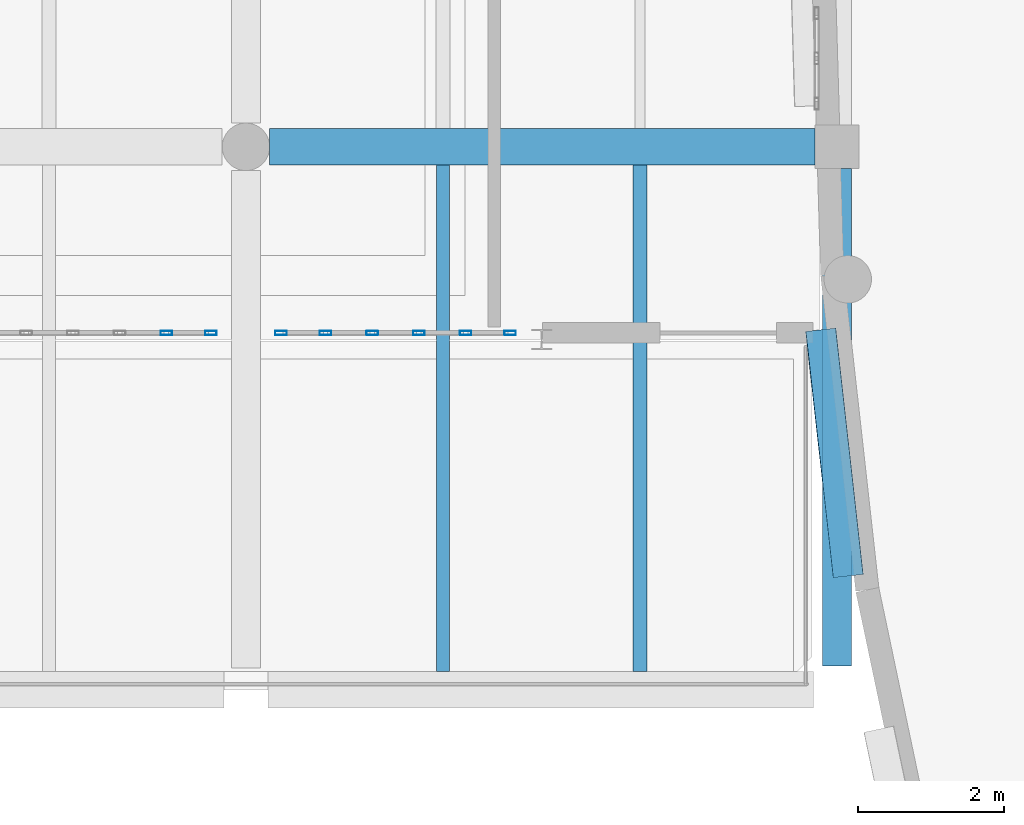
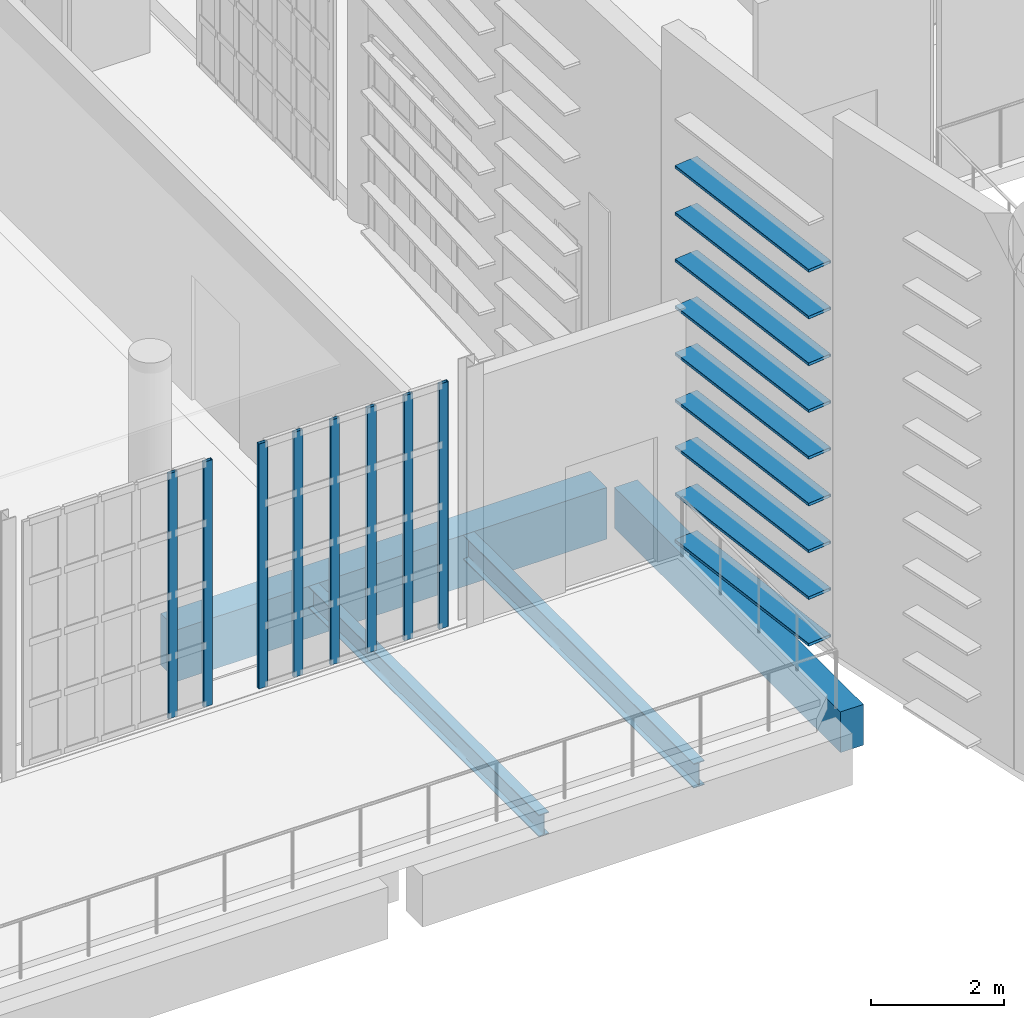
# One storey, part 31 of 104: 17 members, 4 beams, 2 elements without a shape of their own.
"""IFC4 building model written with IfcOpenShell, lengths in metres."""

import ifcopenshell
import ifcopenshell.guid

model = None  # the IFC model being written
_history = None  # IfcOwnerHistory: only IFC2X3 demands one
_inside = {}  # id of a spatial element -> (the spatial element, [elements in it])
_under = {}  # id of a project, library or spatial element -> (it, [spatial elements below it])
_declared = {}  # id of a project -> (the project, [libraries it declares])
_typed = {}  # id of a type object -> (the type object, [elements of that type])
_made_of = {}  # id of a material, layer set ... -> (it, [elements and type objects made of it])


def new_model(schema):
    """Start an empty IFC model of exactly this schema.

    Asked for "IFC4X3", IfcOpenShell would pick the latest addendum, in which some entities
    have other attributes; the version numbers below select the first issue.
    IFC2X3 requires an IfcOwnerHistory on every rooted entity: one is made here for all.
    """
    global model, _history
    if schema == "IFC4X3":
        model = ifcopenshell.file(schema_version=(4, 3, 0, 0))
    else:
        model = ifcopenshell.file(schema=schema)
    _inside.clear()
    _under.clear()
    _declared.clear()
    _typed.clear()
    _made_of.clear()
    _history = None
    if model.schema == "IFC2X3":
        org = make("IfcOrganization", Name="unknown")
        user = make(
            "IfcPersonAndOrganization",
            ThePerson=make("IfcPerson", FamilyName="unknown"),
            TheOrganization=org,
        )
        app = make(
            "IfcApplication",
            ApplicationDeveloper=org,
            Version="unknown",
            ApplicationFullName="unknown",
            ApplicationIdentifier="unknown",
        )
        _history = make(
            "IfcOwnerHistory",
            OwningUser=user,
            OwningApplication=app,
            ChangeAction="ADDED",
            CreationDate=0,
        )
    return model


def make(cls, **values):
    """One entity of the class cls with the attributes given. An attribute that is None is left unset."""
    return model.create_entity(
        cls, **{name: value for name, value in values.items() if value is not None}
    )


def rooted(cls, **values):
    """An entity with a GlobalId (a new one), such as an element, a storey or a relation."""
    return make(cls, GlobalId=ifcopenshell.guid.new(), OwnerHistory=_history, **values)


def si_unit(unit_type, name, prefix=None):
    """IfcSIUnit, for example si_unit("LENGTHUNIT", "METRE", prefix="MILLI")."""
    return make("IfcSIUnit", UnitType=unit_type, Prefix=prefix, Name=name)


def assignment(units):
    """IfcUnitAssignment: the units of a project."""
    return None if units is None else make("IfcUnitAssignment", Units=units)


def point(xyz):
    """IfcCartesianPoint."""
    return None if xyz is None else make("IfcCartesianPoint", Coordinates=xyz)


def direction(xyz):
    """IfcDirection."""
    return None if xyz is None else make("IfcDirection", DirectionRatios=xyz)


def frame(location, z_axis=None, x_axis=None):
    """IfcAxis2Placement3D, a coordinate frame: its origin and axes. An axis left out is left unset."""
    return make(
        "IfcAxis2Placement3D",
        Location=point(location),
        Axis=direction(z_axis),
        RefDirection=direction(x_axis),
    )


def frame_2d(location, x_axis=None):
    """IfcAxis2Placement2D, a coordinate frame in the plane: its origin and x axis."""
    return make(
        "IfcAxis2Placement2D", Location=point(location), RefDirection=direction(x_axis)
    )


def origin():
    """The frame at (0, 0, 0) with its axes left unset."""
    return frame((0.0, 0.0, 0.0))


def origin_2d():
    """The frame at (0, 0) in the plane with its x axis left unset."""
    return frame_2d((0.0, 0.0))


def place(relative_to, where):
    """IfcLocalPlacement: puts the frame where relative to a parent placement (None: the world)."""
    return make(
        "IfcLocalPlacement", PlacementRelTo=relative_to, RelativePlacement=where
    )


def context(
    kind, dimensions, precision=None, world=None, true_north=None, identifier=None
):
    """IfcGeometricRepresentationContext, for example the 3D "Model" context."""
    return make(
        "IfcGeometricRepresentationContext",
        ContextIdentifier=identifier,
        ContextType=kind,
        CoordinateSpaceDimension=dimensions,
        Precision=precision,
        WorldCoordinateSystem=world,
        TrueNorth=true_north,
    )


def subcontext(parent, identifier, kind, view, scale=None):
    """IfcGeometricRepresentationSubContext, for example "Body" below "Model"."""
    return make(
        "IfcGeometricRepresentationSubContext",
        ContextIdentifier=identifier,
        ContextType=kind,
        ParentContext=parent,
        TargetScale=scale,
        TargetView=view,
    )


def project(units=None, contexts=None):
    """IfcProject with its units and contexts."""
    return rooted(
        "IfcProject",
        Name="project",
        RepresentationContexts=contexts,
        UnitsInContext=assignment(units),
    )


def spatial(cls, under=None, at=None, **own):
    """A site, building, storey or space (cls), placed at a placement, below another one or the project."""
    s = rooted(cls, ObjectPlacement=at, **own)
    if under is not None:
        _under.setdefault(under.id(), (under, []))[1].append(s)
    return s


def profile(cls, at=None, kind="AREA", **sizes):
    """A parametric profile (cls). Its sizes go by their IFC names, for example OverallWidth=200.0."""
    return make(cls, ProfileType=kind, Position=at, **sizes)


def rectangle(**sizes):
    """IfcRectangleProfileDef."""
    return profile("IfcRectangleProfileDef", **sizes)


def hollow_rectangle(**sizes):
    """IfcRectangleHollowProfileDef."""
    return profile("IfcRectangleHollowProfileDef", **sizes)


def i_section(**sizes):
    """IfcIShapeProfileDef."""
    return profile("IfcIShapeProfileDef", **sizes)


def extrude(swept, where, along, depth):
    """IfcExtrudedAreaSolid: the profile swept, set in the frame where, extruded along a direction by depth."""
    return make(
        "IfcExtrudedAreaSolid",
        SweptArea=swept,
        Position=where,
        ExtrudedDirection=direction(along),
        Depth=depth,
    )


def shape(context_of_items, identifier, shape_type, items):
    """IfcShapeRepresentation: the items that make up one representation, for example the "Body"."""
    return make(
        "IfcShapeRepresentation",
        ContextOfItems=context_of_items,
        RepresentationIdentifier=identifier,
        RepresentationType=shape_type,
        Items=items,
    )


def material(Name=None, Category=None):
    """IfcMaterial."""
    return make("IfcMaterial", Name=Name, Category=Category)


def material_profile(
    of_material, cross_section, Name=None, Category=None, Priority=None
):
    """IfcMaterialProfile: a cross section and its material."""
    return make(
        "IfcMaterialProfile",
        Name=Name,
        Material=of_material,
        Profile=cross_section,
        Priority=Priority,
        Category=Category,
    )


def profile_set(profiles, Name=None, composite=None):
    """IfcMaterialProfileSet."""
    return make(
        "IfcMaterialProfileSet",
        Name=Name,
        MaterialProfiles=profiles,
        CompositeProfile=composite,
    )


def made_of(thing, what):
    """Note that an element or type object is made of a material, layer set ...; save() writes the relation."""
    if what is not None:
        _made_of.setdefault(what.id(), (what, []))[1].append(thing)
    return thing


def type_object(cls, material=None, **own):
    """A type object (cls), such as IfcWallType, which elements share."""
    return made_of(rooted(cls, **own), material)


def element(
    cls,
    number,
    at=None,
    inside=None,
    cuts=None,
    type_object=None,
    material=None,
    context=None,
    identifier="Body",
    shape_type=None,
    held_by="IfcProductDefinitionShape",
    body=None,
    shapes=None,
    **own,
):
    """One element of the class cls, such as IfcWall. Its Tag is "e" and its number.

    at: its placement. inside: the storey or other place that contains it. cuts: it is an
    opening in that element (IfcRelVoidsElement). A single representation is given by context,
    identifier, shape_type and body (its items); several are given by shapes. held_by: the class
    of the entity that holds the representations. save() writes the other relations.
    """
    e = rooted(cls, Tag="e%d" % number, ObjectPlacement=at, **own)
    if body is not None:
        shapes = [shape(context, identifier, shape_type, body)]
    if shapes is not None:
        e.Representation = make(held_by, Representations=shapes)
    if inside is not None:
        _inside.setdefault(inside.id(), (inside, []))[1].append(e)
    if cuts is not None:
        rooted(
            "IfcRelVoidsElement", RelatingBuildingElement=cuts, RelatedOpeningElement=e
        )
    if type_object is not None:
        _typed.setdefault(type_object.id(), (type_object, []))[1].append(e)
    return made_of(e, material)


def aggregate(whole, parts):
    """IfcRelAggregates: a whole, such as a stair, and the parts it consists of."""
    return rooted("IfcRelAggregates", RelatingObject=whole, RelatedObjects=parts)


def save(model, path):
    """Write the relations noted so far, then the file.

    IfcRelAggregates (storeys below a building ...), IfcRelContainedInSpatialStructure (elements
    in a storey), IfcRelDefinesByType, IfcRelAssociatesMaterial and IfcRelDeclares: one each for
    every whole, place, type object, material and project.
    """
    for whole, parts in _under.values():
        aggregate(whole, parts)
    for where, things in _inside.values():
        rooted(
            "IfcRelContainedInSpatialStructure",
            RelatedElements=things,
            RelatingStructure=where,
        )
    for kind, things in _typed.values():
        rooted("IfcRelDefinesByType", RelatedObjects=things, RelatingType=kind)
    for what, things in _made_of.values():
        rooted("IfcRelAssociatesMaterial", RelatedObjects=things, RelatingMaterial=what)
    for by, libraries in _declared.values():
        rooted("IfcRelDeclares", RelatingContext=by, RelatedDefinitions=libraries)
    model.write(path)


model = new_model("IFC4")

# Units and contexts
model_context = context("Model", 3, precision=1e-05, world=origin(), true_north=direction((0.0, 1.0)))
body_context = subcontext(model_context, "Body", "Model", "MODEL_VIEW")
ifc_project = project(units=[si_unit("LENGTHUNIT", "METRE"), si_unit("AREAUNIT", "SQUARE_METRE"), si_unit("VOLUMEUNIT", "CUBIC_METRE"), si_unit("PLANEANGLEUNIT", "RADIAN"), si_unit("MASSUNIT", "GRAM", prefix="KILO")], contexts=[model_context])

# Site, building, storey
site_placement = place(None, origin())
site = spatial("IfcSite", under=ifc_project, at=site_placement, CompositionType="ELEMENT")
building_placement = place(site_placement, origin())
building = spatial("IfcBuilding", under=site, at=building_placement, Name="Kaelora Sail Theatre", CompositionType="ELEMENT")
storey_placement = place(building_placement, frame((0.0, 0.0, 5.39990234375)))
storey = spatial("IfcBuildingStorey", under=building, at=storey_placement, Name="L01", CompositionType="ELEMENT", Elevation=5.39990234375)

# Members
ifc_material_1 = material(Name="Anodised aluminium 6063-T6", Category="aluminium")
ifc_material_profile_1 = material_profile(ifc_material_1, hollow_rectangle(XDim=0.419921875, YDim=0.054931640625, WallThickness=0.00390625, InnerFilletRadius=0.00390625, OuterFilletRadius=0.008056640625, at=origin_2d()), Name="LOUVRE 420x55x4")
ifc_profile_set_1 = profile_set([ifc_material_profile_1], Name="Anodised aluminium 6063-T6")
member_type_1 = type_object("IfcMemberType", Name="ARC-MEM-LVR-420", PredefinedType="USERDEFINED", material=ifc_profile_set_1)
for number, where, z_axis, x_axis, name in (
    (1, (123.151611328125, 40.25830078125, 0.150146484375), (-0.110786598659, 0.993844217952, 0.0), (-0.993844217952, -0.110786598659, 0.0), "Black-Box and Experimental Sail Wing horizontal solar louvre C18-06"),
    (2, (123.151611328125, 40.25830078125, 1.010009765625), (-0.110786598659, 0.993844217952, 0.0), (-0.993844217952, -0.110786598659, 0.0), "Black-Box and Experimental Sail Wing horizontal solar louvre C18-07"),
    (3, (123.151611328125, 40.25830078125, 1.8701171875), (-0.110786598659, 0.993844217952, 0.0), (-0.993844217952, -0.110786598659, 0.0), "Black-Box and Experimental Sail Wing horizontal solar louvre C18-08"),
    (4, (123.151611328125, 40.25830078125, 2.72998046875), (-0.110786598659, 0.993844217952, 0.0), (-0.993844217952, -0.110786598659, 0.0), "Black-Box and Experimental Sail Wing horizontal solar louvre C18-09"),
    (5, (123.151611328125, 40.25830078125, 3.590087890625), (-0.110786598659, 0.993844217952, 0.0), (-0.993844217952, -0.110786598659, 0.0), "Black-Box and Experimental Sail Wing horizontal solar louvre C18-10"),
    (6, (123.151611328125, 40.25830078125, 4.4501953125), (-0.110786598659, 0.993844217952, 0.0), (-0.993844217952, -0.110786598659, 0.0), "Black-Box and Experimental Sail Wing horizontal solar louvre C18-11"),
    (7, (123.151611328125, 40.25830078125, 5.31005859375), (-0.110786598659, 0.993844217952, 0.0), (-0.993844217952, -0.110786598659, 0.0), "Black-Box and Experimental Sail Wing horizontal solar louvre C18-12"),
    (8, (123.151611328125, 40.25830078125, 6.170166015625), (-0.110786598659, 0.993844217952, 0.0), (-0.993844217952, -0.110786598659, 0.0), "Black-Box and Experimental Sail Wing horizontal solar louvre C18-13"),
    (9, (123.151611328125, 40.25830078125, 7.030029296875), (-0.110786598659, 0.993844217952, 0.0), (-0.993844217952, -0.110786598659, 0.0), "Black-Box and Experimental Sail Wing horizontal solar louvre C18-14"),
):
    element("IfcMember", number, at=place(storey_placement, frame(where, z_axis=z_axis, x_axis=x_axis)), inside=storey, type_object=member_type_1, Name=name, ObjectType="LOUVRE", PredefinedType="USERDEFINED", context=body_context, shape_type="SweptSolid", body=[
        extrude(hollow_rectangle(XDim=0.419921875, YDim=0.054931640625, WallThickness=0.00390625, InnerFilletRadius=0.00390625, OuterFilletRadius=0.008056640625, at=origin_2d()), origin(), (0.0, 0.0, 1.0), 3.39599609375),
    ])

# Curtain wall, members
ifc_material_2 = material(Name="Anodised aluminium and solar-control low-E IGU", Category="aluminium")
curtain_wall_type = type_object("IfcCurtainWallType", Name="ARC-CW-CW-PROW", PredefinedType="NOTDEFINED", material=ifc_material_2)
curtain_wall_1_placement = place(storey_placement, origin())
curtain_wall_1 = element("IfcCurtainWall", 10, at=curtain_wall_1_placement, inside=storey, type_object=curtain_wall_type, Name="East Interstitial Sail Foyer Curtain Wall L01-02", PredefinedType="NOTDEFINED")
ifc_material_3 = material(Name="Anodised aluminium 6063-T6", Category="aluminium")
ifc_material_profile_2 = material_profile(ifc_material_3, hollow_rectangle(XDim=0.06005859375, YDim=0.159912109375, WallThickness=0.00390625, InnerFilletRadius=0.00390625, OuterFilletRadius=0.008056640625, at=origin_2d()), Name="ALU-MULL 60x160x4")
ifc_profile_set_2 = profile_set([ifc_material_profile_2], Name="Anodised aluminium 6063-T6")
member_type_2 = type_object("IfcMemberType", Name="ARC-MEM-ML-160", PredefinedType="MULLION", material=ifc_profile_set_2)
member_1_placement = place(storey_placement, frame((113.81005859375, 43.590087890625, 0.0), z_axis=(0.0, 0.0, 1.0), x_axis=(0.0, 1.0, 0.0)))
member_1 = element("IfcMember", 11, at=member_1_placement, type_object=member_type_2, Name="CW-PROW mullion 5", PredefinedType="MULLION", context=body_context, shape_type="SweptSolid", body=[
    extrude(hollow_rectangle(XDim=0.06005859375, YDim=0.159912109375, WallThickness=0.00390625, InnerFilletRadius=0.00390625, OuterFilletRadius=0.008056640625, at=origin_2d()), origin(), (0.0, 0.0, 1.0), 4.505126953125),
])
member_2_placement = place(storey_placement, frame((114.419921875, 43.590087890625, 0.0), z_axis=(0.0, 0.0, 1.0), x_axis=(0.0, 1.0, 0.0)))
member_2 = element("IfcMember", 12, at=member_2_placement, type_object=member_type_2, Name="CW-PROW mullion 6", PredefinedType="MULLION", context=body_context, shape_type="SweptSolid", body=[
    extrude(hollow_rectangle(XDim=0.06005859375, YDim=0.159912109375, WallThickness=0.00390625, InnerFilletRadius=0.00390625, OuterFilletRadius=0.008056640625, at=origin_2d()), origin(), (0.0, 0.0, 1.0), 4.505126953125),
])
aggregate(curtain_wall_1, [member_1, member_2])

curtain_wall_2_placement = place(storey_placement, origin())
curtain_wall_2 = element("IfcCurtainWall", 13, at=curtain_wall_2_placement, inside=storey, type_object=curtain_wall_type, Name="East Interstitial Sail Foyer Curtain Wall L01-03", PredefinedType="NOTDEFINED")
member_3_placement = place(storey_placement, frame((115.3798828125, 43.590087890625, 0.0), z_axis=(0.0, 0.0, 1.0), x_axis=(0.0, 1.0, 0.0)))
member_3 = element("IfcMember", 14, at=member_3_placement, type_object=member_type_2, Name="CW-PROW mullion 1", PredefinedType="MULLION", context=body_context, shape_type="SweptSolid", body=[
    extrude(hollow_rectangle(XDim=0.06005859375, YDim=0.159912109375, WallThickness=0.00390625, InnerFilletRadius=0.00390625, OuterFilletRadius=0.008056640625, at=origin_2d()), origin(), (0.0, 0.0, 1.0), 4.505126953125),
])
member_4_placement = place(storey_placement, frame((115.989990234375, 43.590087890625, 0.0), z_axis=(0.0, 0.0, 1.0), x_axis=(0.0, 1.0, 0.0)))
member_4 = element("IfcMember", 15, at=member_4_placement, type_object=member_type_2, Name="CW-PROW mullion 2", PredefinedType="MULLION", context=body_context, shape_type="SweptSolid", body=[
    extrude(hollow_rectangle(XDim=0.06005859375, YDim=0.159912109375, WallThickness=0.00390625, InnerFilletRadius=0.00390625, OuterFilletRadius=0.008056640625, at=origin_2d()), origin(), (0.0, 0.0, 1.0), 4.505126953125),
])
member_5_placement = place(storey_placement, frame((116.6298828125, 43.590087890625, 0.0), z_axis=(0.0, 0.0, 1.0), x_axis=(0.0, 1.0, 0.0)))
member_5 = element("IfcMember", 16, at=member_5_placement, type_object=member_type_2, Name="CW-PROW mullion 3", PredefinedType="MULLION", context=body_context, shape_type="SweptSolid", body=[
    extrude(hollow_rectangle(XDim=0.06005859375, YDim=0.159912109375, WallThickness=0.00390625, InnerFilletRadius=0.00390625, OuterFilletRadius=0.008056640625, at=origin_2d()), origin(), (0.0, 0.0, 1.0), 4.505126953125),
])
member_6_placement = place(storey_placement, frame((117.27001953125, 43.590087890625, 0.0), z_axis=(0.0, 0.0, 1.0), x_axis=(0.0, 1.0, 0.0)))
member_6 = element("IfcMember", 17, at=member_6_placement, type_object=member_type_2, Name="CW-PROW mullion 4", PredefinedType="MULLION", context=body_context, shape_type="SweptSolid", body=[
    extrude(hollow_rectangle(XDim=0.06005859375, YDim=0.159912109375, WallThickness=0.00390625, InnerFilletRadius=0.00390625, OuterFilletRadius=0.008056640625, at=origin_2d()), origin(), (0.0, 0.0, 1.0), 4.505126953125),
])
member_7_placement = place(storey_placement, frame((117.909912109375, 43.590087890625, 0.0), z_axis=(0.0, 0.0, 1.0), x_axis=(0.0, 1.0, 0.0)))
member_7 = element("IfcMember", 18, at=member_7_placement, type_object=member_type_2, Name="CW-PROW mullion 5", PredefinedType="MULLION", context=body_context, shape_type="SweptSolid", body=[
    extrude(hollow_rectangle(XDim=0.06005859375, YDim=0.159912109375, WallThickness=0.00390625, InnerFilletRadius=0.00390625, OuterFilletRadius=0.008056640625, at=origin_2d()), origin(), (0.0, 0.0, 1.0), 4.505126953125),
])
member_8_placement = place(storey_placement, frame((118.52001953125, 43.590087890625, 0.0), z_axis=(0.0, 0.0, 1.0), x_axis=(0.0, 1.0, 0.0)))
member_8 = element("IfcMember", 19, at=member_8_placement, type_object=member_type_2, Name="CW-PROW mullion 6", PredefinedType="MULLION", context=body_context, shape_type="SweptSolid", body=[
    extrude(hollow_rectangle(XDim=0.06005859375, YDim=0.159912109375, WallThickness=0.00390625, InnerFilletRadius=0.00390625, OuterFilletRadius=0.008056640625, at=origin_2d()), origin(), (0.0, 0.0, 1.0), 4.505126953125),
])
aggregate(curtain_wall_2, [member_3, member_4, member_5, member_6, member_7, member_8])

# Beams
ifc_material_4 = material(Name="Steel S355", Category="steel")
ifc_material_profile_3 = material_profile(ifc_material_4, i_section(OverallWidth=0.18994140625, OverallDepth=0.449951171875, WebThickness=0.009521484375, FlangeThickness=0.0146484375, FilletRadius=0.02099609375, at=origin_2d()), Name="IPE 450")
ifc_profile_set_3 = profile_set([ifc_material_profile_3], Name="Steel S355")
beam_type_1 = type_object("IfcBeamType", Name="STR-BM-BM-IPE450", PredefinedType="BEAM", material=ifc_profile_set_3)
beam_1_placement = place(storey_placement, frame((120.300048828125, 38.949951171875, -0.52001953125), z_axis=(0.0, 1.0, 0.0), x_axis=(-1.0, 0.0, 0.0)))
element("IfcBeam", 20, at=beam_1_placement, inside=storey, type_object=beam_type_1, Name="Secondary floor joist 15/F-2 (L01)", PredefinedType="BEAM", context=body_context, shape_type="SweptSolid", body=[
    extrude(i_section(OverallWidth=0.18994140625, OverallDepth=0.449951171875, WebThickness=0.009521484375, FlangeThickness=0.0146484375, FilletRadius=0.02099609375, at=origin_2d()), origin(), (0.0, 0.0, 1.0), 6.93994140625),
])
ifc_material_5 = material(Name="Concrete C40/50", Category="concrete")
ifc_material_profile_4 = material_profile(ifc_material_5, rectangle(XDim=0.39990234375, YDim=0.75, at=origin_2d()), Name="RC-BM 400x750")
ifc_profile_set_4 = profile_set([ifc_material_profile_4], Name="Concrete C40/50")
beam_type_2 = type_object("IfcBeamType", Name="STR-BM-BM-RC4075", PredefinedType="BEAM", material=ifc_profile_set_4)
beam_2_placement = place(storey_placement, frame((123.0, 39.02490234375, -0.669921875), z_axis=(0.0, 1.0, 0.0), x_axis=(-1.0, 0.0, 0.0)))
element("IfcBeam", 21, at=beam_2_placement, inside=storey, type_object=beam_type_2, Name="Primary beam 16 F-G (L01)", PredefinedType="BEAM", context=body_context, shape_type="SweptSolid", body=[
    extrude(rectangle(XDim=0.39990234375, YDim=0.75, at=origin_2d()), origin(), (0.0, 0.0, 1.0), 6.815185546875),
])
ifc_material_6 = material(Name="Concrete C45/55", Category="concrete")
ifc_material_profile_5 = material_profile(ifc_material_6, rectangle(XDim=0.5, YDim=0.949951171875, at=origin_2d()), Name="RC-GRD 500x950")
ifc_profile_set_5 = profile_set([ifc_material_profile_5], Name="Concrete C45/55")
beam_type_3 = type_object("IfcBeamType", Name="STR-BM-GR-RC5095", PredefinedType="T_BEAM", material=ifc_profile_set_5)
beam_3_placement = place(storey_placement, frame((115.22509765625, 46.139892578125, -0.77001953125), z_axis=(1.0, 0.0, 0.0), x_axis=(0.0, 1.0, 0.0)))
element("IfcBeam", 22, at=beam_3_placement, inside=storey, type_object=beam_type_3, Name="Primary beam G 15-16 (L01)", PredefinedType="T_BEAM", context=body_context, shape_type="SweptSolid", body=[
    extrude(rectangle(XDim=0.5, YDim=0.949951171875, at=origin_2d()), origin(), (0.0, 0.0, 1.0), 7.474853515625),
])
ifc_material_7 = material(Name="Steel S355", Category="steel")
ifc_material_profile_6 = material_profile(ifc_material_7, i_section(OverallWidth=0.179931640625, OverallDepth=0.39990234375, WebThickness=0.008544921875, FlangeThickness=0.013427734375, FilletRadius=0.02099609375, at=origin_2d()), Name="IPE 400")
ifc_profile_set_6 = profile_set([ifc_material_profile_6], Name="Steel S355")
beam_type_4 = type_object("IfcBeamType", Name="STR-BM-JS-IPE400", PredefinedType="JOIST", material=ifc_profile_set_6)
beam_4_placement = place(storey_placement, frame((117.60009765625, 38.949951171875, -0.494873046875), z_axis=(0.0, 1.0, 0.0), x_axis=(-1.0, 0.0, 0.0)))
element("IfcBeam", 23, at=beam_4_placement, inside=storey, type_object=beam_type_4, Name="Secondary floor joist 15/F-1 (L01)", PredefinedType="JOIST", context=body_context, shape_type="SweptSolid", body=[
    extrude(i_section(OverallWidth=0.179931640625, OverallDepth=0.39990234375, WebThickness=0.008544921875, FlangeThickness=0.013427734375, FilletRadius=0.02099609375, at=origin_2d()), origin(), (0.0, 0.0, 1.0), 6.93994140625),
])

save(model, "model.ifc")
